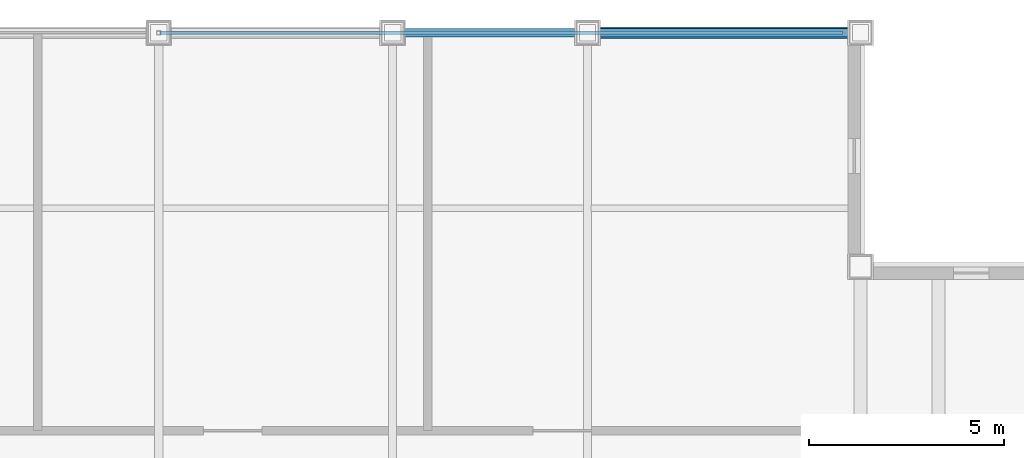
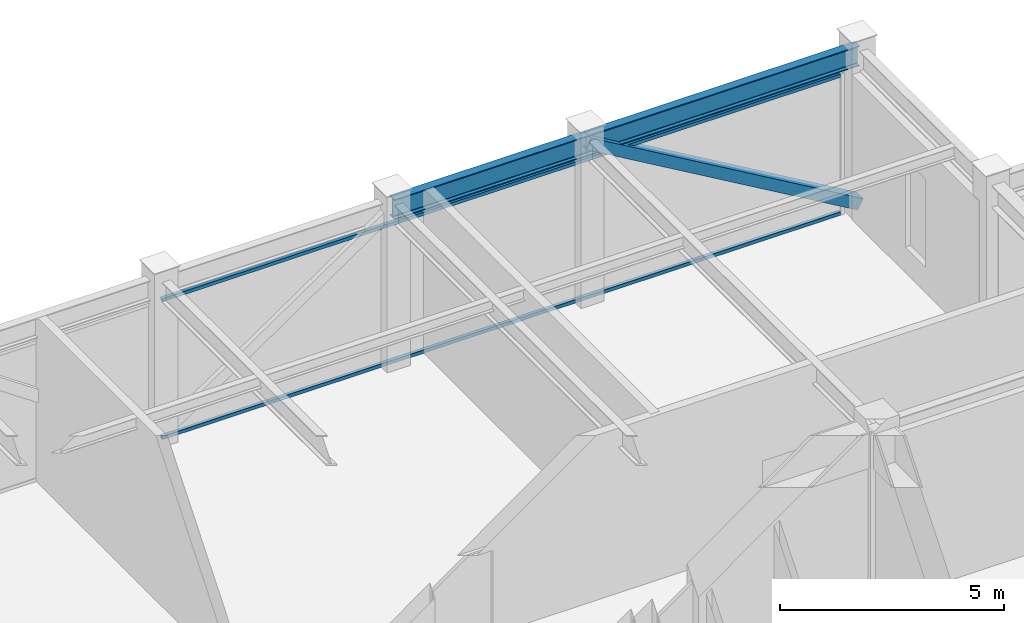
# One storey, part 21 of 27: 3 members, 2 beams, 1 element without a shape of its own.
"""IFC4 building model written with IfcOpenShell, lengths in metres."""

import ifcopenshell
import ifcopenshell.guid

model = None  # the IFC model being written
_history = None  # IfcOwnerHistory: only IFC2X3 demands one
_inside = {}  # id of a spatial element -> (the spatial element, [elements in it])
_under = {}  # id of a project, library or spatial element -> (it, [spatial elements below it])
_declared = {}  # id of a project -> (the project, [libraries it declares])
_typed = {}  # id of a type object -> (the type object, [elements of that type])
_made_of = {}  # id of a material, layer set ... -> (it, [elements and type objects made of it])


def new_model(schema):
    """Start an empty IFC model of exactly this schema.

    Asked for "IFC4X3", IfcOpenShell would pick the latest addendum, in which some entities
    have other attributes; the version numbers below select the first issue.
    IFC2X3 requires an IfcOwnerHistory on every rooted entity: one is made here for all.
    """
    global model, _history
    if schema == "IFC4X3":
        model = ifcopenshell.file(schema_version=(4, 3, 0, 0))
    else:
        model = ifcopenshell.file(schema=schema)
    _inside.clear()
    _under.clear()
    _declared.clear()
    _typed.clear()
    _made_of.clear()
    _history = None
    if model.schema == "IFC2X3":
        org = make("IfcOrganization", Name="unknown")
        user = make(
            "IfcPersonAndOrganization",
            ThePerson=make("IfcPerson", FamilyName="unknown"),
            TheOrganization=org,
        )
        app = make(
            "IfcApplication",
            ApplicationDeveloper=org,
            Version="unknown",
            ApplicationFullName="unknown",
            ApplicationIdentifier="unknown",
        )
        _history = make(
            "IfcOwnerHistory",
            OwningUser=user,
            OwningApplication=app,
            ChangeAction="ADDED",
            CreationDate=0,
        )
    return model


def make(cls, **values):
    """One entity of the class cls with the attributes given. An attribute that is None is left unset."""
    return model.create_entity(
        cls, **{name: value for name, value in values.items() if value is not None}
    )


def rooted(cls, **values):
    """An entity with a GlobalId (a new one), such as an element, a storey or a relation."""
    return make(cls, GlobalId=ifcopenshell.guid.new(), OwnerHistory=_history, **values)


def si_unit(unit_type, name, prefix=None):
    """IfcSIUnit, for example si_unit("LENGTHUNIT", "METRE", prefix="MILLI")."""
    return make("IfcSIUnit", UnitType=unit_type, Prefix=prefix, Name=name)


def assignment(units):
    """IfcUnitAssignment: the units of a project."""
    return None if units is None else make("IfcUnitAssignment", Units=units)


def point(xyz):
    """IfcCartesianPoint."""
    return None if xyz is None else make("IfcCartesianPoint", Coordinates=xyz)


def direction(xyz):
    """IfcDirection."""
    return None if xyz is None else make("IfcDirection", DirectionRatios=xyz)


def frame(location, z_axis=None, x_axis=None):
    """IfcAxis2Placement3D, a coordinate frame: its origin and axes. An axis left out is left unset."""
    return make(
        "IfcAxis2Placement3D",
        Location=point(location),
        Axis=direction(z_axis),
        RefDirection=direction(x_axis),
    )


def frame_2d(location, x_axis=None):
    """IfcAxis2Placement2D, a coordinate frame in the plane: its origin and x axis."""
    return make(
        "IfcAxis2Placement2D", Location=point(location), RefDirection=direction(x_axis)
    )


def origin():
    """The frame at (0, 0, 0) with its axes left unset."""
    return frame((0.0, 0.0, 0.0))


def origin_2d():
    """The frame at (0, 0) in the plane with its x axis left unset."""
    return frame_2d((0.0, 0.0))


def place(relative_to, where):
    """IfcLocalPlacement: puts the frame where relative to a parent placement (None: the world)."""
    return make(
        "IfcLocalPlacement", PlacementRelTo=relative_to, RelativePlacement=where
    )


def context(
    kind, dimensions, precision=None, world=None, true_north=None, identifier=None
):
    """IfcGeometricRepresentationContext, for example the 3D "Model" context."""
    return make(
        "IfcGeometricRepresentationContext",
        ContextIdentifier=identifier,
        ContextType=kind,
        CoordinateSpaceDimension=dimensions,
        Precision=precision,
        WorldCoordinateSystem=world,
        TrueNorth=true_north,
    )


def subcontext(parent, identifier, kind, view, scale=None):
    """IfcGeometricRepresentationSubContext, for example "Body" below "Model"."""
    return make(
        "IfcGeometricRepresentationSubContext",
        ContextIdentifier=identifier,
        ContextType=kind,
        ParentContext=parent,
        TargetScale=scale,
        TargetView=view,
    )


def project(units=None, contexts=None):
    """IfcProject with its units and contexts."""
    return rooted(
        "IfcProject",
        Name="project",
        RepresentationContexts=contexts,
        UnitsInContext=assignment(units),
    )


def spatial(cls, under=None, at=None, **own):
    """A site, building, storey or space (cls), placed at a placement, below another one or the project."""
    s = rooted(cls, ObjectPlacement=at, **own)
    if under is not None:
        _under.setdefault(under.id(), (under, []))[1].append(s)
    return s


def profile(cls, at=None, kind="AREA", **sizes):
    """A parametric profile (cls). Its sizes go by their IFC names, for example OverallWidth=200.0."""
    return make(cls, ProfileType=kind, Position=at, **sizes)


def hollow_rectangle(**sizes):
    """IfcRectangleHollowProfileDef."""
    return profile("IfcRectangleHollowProfileDef", **sizes)


def i_section(**sizes):
    """IfcIShapeProfileDef."""
    return profile("IfcIShapeProfileDef", **sizes)


def extrude(swept, where, along, depth):
    """IfcExtrudedAreaSolid: the profile swept, set in the frame where, extruded along a direction by depth."""
    return make(
        "IfcExtrudedAreaSolid",
        SweptArea=swept,
        Position=where,
        ExtrudedDirection=direction(along),
        Depth=depth,
    )


def shape(context_of_items, identifier, shape_type, items):
    """IfcShapeRepresentation: the items that make up one representation, for example the "Body"."""
    return make(
        "IfcShapeRepresentation",
        ContextOfItems=context_of_items,
        RepresentationIdentifier=identifier,
        RepresentationType=shape_type,
        Items=items,
    )


def source(mapping_origin, context_of_items, identifier, shape_type, items):
    """IfcRepresentationMap: a shape defined once, which mapped items show again and again."""
    return make(
        "IfcRepresentationMap",
        MappingOrigin=mapping_origin,
        MappedRepresentation=shape(context_of_items, identifier, shape_type, items),
    )


def transform(
    local_origin,
    x_axis=None,
    y_axis=None,
    z_axis=None,
    scale=None,
    scale2=None,
    scale3=None,
    uniform=True,
):
    """IfcCartesianTransformationOperator3D, or its non-uniform kind. x_axis, y_axis, z_axis: its Axis1, 2, 3."""
    if uniform:
        return make(
            "IfcCartesianTransformationOperator3D",
            Axis1=direction(x_axis),
            Axis2=direction(y_axis),
            LocalOrigin=point(local_origin),
            Scale=scale,
            Axis3=direction(z_axis),
        )
    return make(
        "IfcCartesianTransformationOperator3DnonUniform",
        Axis1=direction(x_axis),
        Axis2=direction(y_axis),
        LocalOrigin=point(local_origin),
        Scale=scale,
        Axis3=direction(z_axis),
        Scale2=scale2,
        Scale3=scale3,
    )


def mapped(mapping_source, mapping_target):
    """IfcMappedItem: shows the shape of a source again, moved by a transform."""
    return make(
        "IfcMappedItem", MappingSource=mapping_source, MappingTarget=mapping_target
    )


def material(Name=None, Category=None):
    """IfcMaterial."""
    return make("IfcMaterial", Name=Name, Category=Category)


def material_profile(
    of_material, cross_section, Name=None, Category=None, Priority=None
):
    """IfcMaterialProfile: a cross section and its material."""
    return make(
        "IfcMaterialProfile",
        Name=Name,
        Material=of_material,
        Profile=cross_section,
        Priority=Priority,
        Category=Category,
    )


def profile_set(profiles, Name=None, composite=None):
    """IfcMaterialProfileSet."""
    return make(
        "IfcMaterialProfileSet",
        Name=Name,
        MaterialProfiles=profiles,
        CompositeProfile=composite,
    )


def made_of(thing, what):
    """Note that an element or type object is made of a material, layer set ...; save() writes the relation."""
    if what is not None:
        _made_of.setdefault(what.id(), (what, []))[1].append(thing)
    return thing


def type_object(cls, material=None, **own):
    """A type object (cls), such as IfcWallType, which elements share."""
    return made_of(rooted(cls, **own), material)


def element(
    cls,
    number,
    at=None,
    inside=None,
    cuts=None,
    type_object=None,
    material=None,
    context=None,
    identifier="Body",
    shape_type=None,
    held_by="IfcProductDefinitionShape",
    body=None,
    shapes=None,
    **own,
):
    """One element of the class cls, such as IfcWall. Its Tag is "e" and its number.

    at: its placement. inside: the storey or other place that contains it. cuts: it is an
    opening in that element (IfcRelVoidsElement). A single representation is given by context,
    identifier, shape_type and body (its items); several are given by shapes. held_by: the class
    of the entity that holds the representations. save() writes the other relations.
    """
    e = rooted(cls, Tag="e%d" % number, ObjectPlacement=at, **own)
    if body is not None:
        shapes = [shape(context, identifier, shape_type, body)]
    if shapes is not None:
        e.Representation = make(held_by, Representations=shapes)
    if inside is not None:
        _inside.setdefault(inside.id(), (inside, []))[1].append(e)
    if cuts is not None:
        rooted(
            "IfcRelVoidsElement", RelatingBuildingElement=cuts, RelatedOpeningElement=e
        )
    if type_object is not None:
        _typed.setdefault(type_object.id(), (type_object, []))[1].append(e)
    return made_of(e, material)


def aggregate(whole, parts):
    """IfcRelAggregates: a whole, such as a stair, and the parts it consists of."""
    return rooted("IfcRelAggregates", RelatingObject=whole, RelatedObjects=parts)


def save(model, path):
    """Write the relations noted so far, then the file.

    IfcRelAggregates (storeys below a building ...), IfcRelContainedInSpatialStructure (elements
    in a storey), IfcRelDefinesByType, IfcRelAssociatesMaterial and IfcRelDeclares: one each for
    every whole, place, type object, material and project.
    """
    for whole, parts in _under.values():
        aggregate(whole, parts)
    for where, things in _inside.values():
        rooted(
            "IfcRelContainedInSpatialStructure",
            RelatedElements=things,
            RelatingStructure=where,
        )
    for kind, things in _typed.values():
        rooted("IfcRelDefinesByType", RelatedObjects=things, RelatingType=kind)
    for what, things in _made_of.values():
        rooted("IfcRelAssociatesMaterial", RelatedObjects=things, RelatingMaterial=what)
    for by, libraries in _declared.values():
        rooted("IfcRelDeclares", RelatingContext=by, RelatedDefinitions=libraries)
    model.write(path)


model = new_model("IFC4")

# Units and contexts
model_context = context("Model", 3, precision=1e-05, world=origin(), true_north=direction((0.0, 1.0)))
body_context = subcontext(model_context, "Body", "Model", "MODEL_VIEW")
ifc_project = project(units=[si_unit("LENGTHUNIT", "METRE"), si_unit("AREAUNIT", "SQUARE_METRE"), si_unit("VOLUMEUNIT", "CUBIC_METRE"), si_unit("PLANEANGLEUNIT", "RADIAN"), si_unit("MASSUNIT", "GRAM", prefix="KILO")], contexts=[model_context])

# Site, building, storey
site_placement = place(None, origin())
site = spatial("IfcSite", under=ifc_project, at=site_placement, CompositionType="ELEMENT")
building_placement = place(site_placement, origin())
building = spatial("IfcBuilding", under=site, at=building_placement, Name="Khorayat Bourse Tower", CompositionType="ELEMENT")
storey_placement = place(building_placement, frame((0.0, 0.0, 399.5)))
storey = spatial("IfcBuildingStorey", under=building, at=storey_placement, Name="L94", CompositionType="ELEMENT", Elevation=399.5)

# Beams
ifc_material_1 = material(Name="Steel ASTM A992 Grade 50", Category="steel")
ifc_material_profile_1 = material_profile(ifc_material_1, i_section(OverallWidth=0.214111328125, OverallDepth=0.549072265625, WebThickness=0.0146484375, FlangeThickness=0.023681640625, FilletRadius=0.013916015625, at=origin_2d()), Name="W530X138")
ifc_profile_set_1 = profile_set([ifc_material_profile_1], Name="Steel ASTM A992 Grade 50")
beam_type = type_object("IfcBeamType", Name="BM-SPAN-530", PredefinedType="SPANDREL", material=ifc_profile_set_1)
shared_shape_1 = source(origin(), body_context, "Body", "SweptSolid", [
    extrude(i_section(OverallWidth=0.214111328125, OverallDepth=0.549072265625, WebThickness=0.0146484375, FlangeThickness=0.023681640625, FilletRadius=0.013916015625, at=origin_2d()), origin(), (0.0, 0.0, 1.0), 5.0),
])
beam_1_placement = place(storey_placement, frame((6.0, 24.0, 4.2255859375), z_axis=(1.0, 0.0, 0.0), x_axis=(0.0, 1.0, 0.0)))
element("IfcBeam", 1, at=beam_1_placement, inside=storey, type_object=beam_type, Name="L94 BM-SPAN-530 BM-L94-SPN-041", PredefinedType="SPANDREL", context=body_context, shape_type="MappedRepresentation", body=[
    mapped(shared_shape_1, transform((0.0, 0.0, 0.0), scale=1.0)),
])
shared_shape_2 = source(origin(), body_context, "Body", "SweptSolid", [
    extrude(i_section(OverallWidth=0.214111328125, OverallDepth=0.549072265625, WebThickness=0.0146484375, FlangeThickness=0.023681640625, FilletRadius=0.013916015625, at=origin_2d()), origin(), (0.0, 0.0, 1.0), 7.0),
])
beam_2_placement = place(storey_placement, frame((11.0, 24.0, 4.2255859375), z_axis=(1.0, 0.0, 0.0), x_axis=(0.0, 1.0, 0.0)))
element("IfcBeam", 2, at=beam_2_placement, inside=storey, type_object=beam_type, Name="L94 BM-SPAN-530 BM-L94-SPN-040", PredefinedType="SPANDREL", context=body_context, shape_type="MappedRepresentation", body=[
    mapped(shared_shape_2, transform((0.0, 0.0, 0.0), scale=1.0)),
])

# Member
ifc_material_2 = material(Name="Steel EN 10025-2 S355J2", Category="steel")
ifc_material_profile_2 = material_profile(ifc_material_2, hollow_rectangle(XDim=0.300048828125, YDim=0.300048828125, WallThickness=0.01611328125, at=origin_2d()), Name="HSS 300x300x16")
ifc_profile_set_2 = profile_set([ifc_material_profile_2], Name="Steel EN 10025-2 S355J2")
member_type_1 = type_object("IfcMemberType", Name="MBR-CROWN-300", PredefinedType="USERDEFINED", material=ifc_profile_set_2)
shared_shape_3 = source(origin(), body_context, "Body", "SweptSolid", [
    extrude(hollow_rectangle(XDim=0.300048828125, YDim=0.300048828125, WallThickness=0.01611328125, at=origin_2d()), origin(), (0.0, 0.0, 1.0), 8.1123046875),
])
member_1_placement = place(storey_placement, frame((11.0, 24.0, 4.300048828125), z_axis=(0.862878111278, 0.0, -0.505412074526), x_axis=(0.0, 1.0, 0.0)))
element("IfcMember", 3, at=member_1_placement, inside=storey, type_object=member_type_1, Name="L94 Lantern Crown Frame Member 08", ObjectType="CROWN FRAME", PredefinedType="USERDEFINED", context=body_context, shape_type="MappedRepresentation", body=[
    mapped(shared_shape_3, transform((0.0, 0.0, 0.0), scale=1.0)),
])

# Curtain wall, members
ifc_material_3 = material(Name="Aluminium EN AW-6063 T6", Category="aluminium")
curtain_wall_type = type_object("IfcCurtainWallType", Name="CW-SYS-07", PredefinedType="NOTDEFINED", material=ifc_material_3)
curtain_wall_placement = place(storey_placement, origin())
curtain_wall = element("IfcCurtainWall", 4, at=curtain_wall_placement, inside=storey, type_object=curtain_wall_type, Name="L94 Curtain Wall CW-L94-N1", PredefinedType="NOTDEFINED")
ifc_material_profile_3 = material_profile(ifc_material_3, hollow_rectangle(XDim=0.090087890625, YDim=0.090087890625, WallThickness=0.00390625, at=origin_2d()), Name="ALU 90x90x4")
ifc_profile_set_3 = profile_set([ifc_material_profile_3], Name="Aluminium EN AW-6063 T6")
member_type_2 = type_object("IfcMemberType", Name="CWT-HORZ-90", PredefinedType="USERDEFINED", material=ifc_profile_set_3)
shared_shape_4 = source(origin(), body_context, "Body", "SweptSolid", [
    extrude(hollow_rectangle(XDim=0.090087890625, YDim=0.090087890625, WallThickness=0.00390625, at=origin_2d()), origin(), (0.0, 0.0, 1.0), 17.5),
])
member_2_placement = place(storey_placement, frame((0.050048828125, 24.0, 0.044921875), z_axis=(1.0, 0.0, 0.0), x_axis=(0.0, 1.0, 0.0)))
member_2 = element("IfcMember", 5, at=member_2_placement, type_object=member_type_2, Name="CW-L94-N1 Horizontal Transom 2-1", ObjectType="TRANSOM", PredefinedType="USERDEFINED", context=body_context, shape_type="MappedRepresentation", body=[
    mapped(shared_shape_4, transform((0.0, 0.0, 0.0), scale=1.0)),
])
member_3_placement = place(storey_placement, frame((0.050048828125, 24.0, 3.804931640625), z_axis=(1.0, 0.0, 0.0), x_axis=(0.0, 1.0, 0.0)))
member_3 = element("IfcMember", 6, at=member_3_placement, type_object=member_type_2, Name="CW-L94-N1 Horizontal Transom 2-2", ObjectType="TRANSOM", PredefinedType="USERDEFINED", context=body_context, shape_type="MappedRepresentation", body=[
    mapped(shared_shape_4, transform((0.0, 0.0, 0.0), scale=1.0)),
])
aggregate(curtain_wall, [member_2, member_3])

save(model, "model.ifc")
